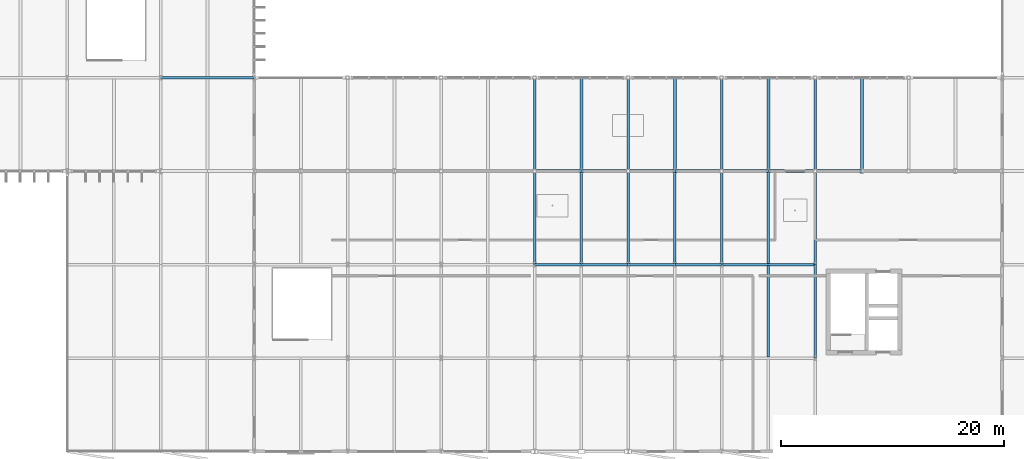
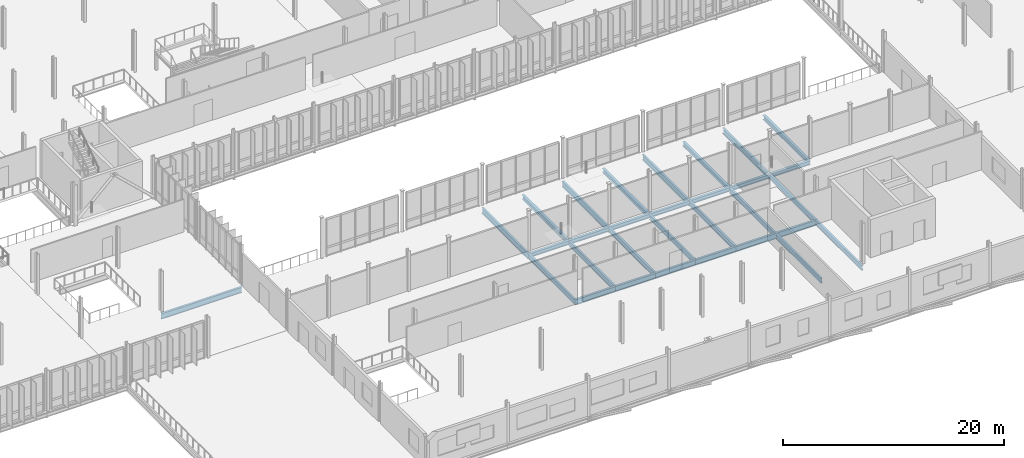
# One storey, part 34 of 139: 30 beams.
"""IFC4 building model written with IfcOpenShell, lengths in metres."""

from ifc_helpers import new_model, si_unit, derived_unit, direction, frame, origin, origin_2d, place, context, subcontext, project, spatial, i_section, extrude, material, material_profile, profile_set, type_object, element, save


model = new_model("IFC4")

# Units and contexts
model_context = context("Model", 3, precision=1e-05, world=origin(), true_north=direction((0.0, 1.0)))
body_context = subcontext(model_context, "Body", "Model", "MODEL_VIEW")
ifc_project = project(units=[si_unit("LENGTHUNIT", "METRE"), si_unit("AREAUNIT", "SQUARE_METRE"), si_unit("VOLUMEUNIT", "CUBIC_METRE"), si_unit("PLANEANGLEUNIT", "RADIAN"), si_unit("MASSUNIT", "GRAM", prefix="KILO"), derived_unit("THERMALTRANSMITTANCEUNIT", [(si_unit("MASSUNIT", "GRAM", prefix="KILO"), 1), (si_unit("TIMEUNIT", "SECOND"), -3), (si_unit("THERMODYNAMICTEMPERATUREUNIT", "KELVIN"), -1)])], contexts=[model_context])

# Site, building, storey
site_placement = place(None, origin())
site = spatial("IfcSite", under=ifc_project, at=site_placement, CompositionType="ELEMENT")
building_placement = place(site_placement, origin())
building = spatial("IfcBuilding", under=site, at=building_placement, Name="Makaiwela Harbour Ferry Terminal", CompositionType="ELEMENT")
storey_placement = place(building_placement, frame((0.0, 0.0, 5.10009765625)))
storey = spatial("IfcBuildingStorey", under=building, at=storey_placement, Name="L01", CompositionType="ELEMENT", Elevation=5.10009765625)

# Beams
ifc_material = material(Name="Steel ASTM A992 Grade 50", Category="steel")
ifc_material_profile_1 = material_profile(ifc_material, i_section(OverallWidth=0.280029296875, OverallDepth=0.462890625, WebThickness=0.0107421875, FlangeThickness=0.017333984375, at=origin_2d()), Name="W18X76")
ifc_profile_set_1 = profile_set([ifc_material_profile_1], Name="Steel ASTM A992 Grade 50")
beam_type_1 = type_object("IfcBeamType", Name="STR-BM-W18X76", PredefinedType="BEAM", material=ifc_profile_set_1)
for number, where, z_axis, x_axis, name in (
    (1, (100.800048828125, 25.314453125, -0.551513671875), (0.0, 1.0, 0.0), (-1.0, 0.0, 0.0), "Secondary floor beam 1113"),
    (2, (109.199951171875, 25.314453125, -0.551513671875), (0.0, 1.0, 0.0), (-1.0, 0.0, 0.0), "Secondary floor beam 1121"),
    (3, (117.60009765625, 25.314453125, -0.551513671875), (0.0, 1.0, 0.0), (-1.0, 0.0, 0.0), "Secondary floor beam 1129"),
    (4, (126.0, 25.314453125, -0.551513671875), (0.0, 1.0, 0.0), (-1.0, 0.0, 0.0), "Secondary floor beam 1136"),
):
    element("IfcBeam", number, at=place(storey_placement, frame(where, z_axis=z_axis, x_axis=x_axis)), inside=storey, type_object=beam_type_1, Name=name, PredefinedType="BEAM", context=body_context, shape_type="SweptSolid", body=[
        extrude(i_section(OverallWidth=0.280029296875, OverallDepth=0.462890625, WebThickness=0.0107421875, FlangeThickness=0.017333984375, at=origin_2d()), origin(), (0.0, 0.0, 1.0), 8.18896484375),
    ])
ifc_material_profile_2 = material_profile(ifc_material, i_section(OverallWidth=0.214111328125, OverallDepth=0.549072265625, WebThickness=0.0146484375, FlangeThickness=0.023681640625, at=origin_2d()), Name="W21X93")
ifc_profile_set_2 = profile_set([ifc_material_profile_2], Name="Steel ASTM A992 Grade 50")
beam_type_2 = type_object("IfcBeamType", Name="STR-BM-W21X93", PredefinedType="BEAM", material=ifc_profile_set_2)
for number, where, z_axis, x_axis, name in (
    (5, (96.60009765625, 16.800048828125, -0.57470703125), (0.0, 1.0, 0.0), (-1.0, 0.0, 0.0), "Primary Y girder 966"),
    (6, (105.0, 16.800048828125, -0.57470703125), (0.0, 1.0, 0.0), (-1.0, 0.0, 0.0), "Primary Y girder 974"),
    (7, (113.39990234375, 16.800048828125, -0.57470703125), (0.0, 1.0, 0.0), (-1.0, 0.0, 0.0), "Primary Y girder 982"),
):
    element("IfcBeam", number, at=place(storey_placement, frame(where, z_axis=z_axis, x_axis=x_axis)), inside=storey, type_object=beam_type_2, Name=name, PredefinedType="BEAM", context=body_context, shape_type="SweptSolid", body=[
        extrude(i_section(OverallWidth=0.214111328125, OverallDepth=0.549072265625, WebThickness=0.0146484375, FlangeThickness=0.023681640625, at=origin_2d()), origin(), (0.0, 0.0, 1.0), 8.39990234375),
    ])
beam_1_placement = place(storey_placement, frame((121.800048828125, 8.39990234375, -0.57470703125), z_axis=(0.0, 1.0, 0.0), x_axis=(-1.0, 0.0, 0.0)))
element("IfcBeam", 8, at=beam_1_placement, inside=storey, type_object=beam_type_2, Name="Primary Y girder 991", PredefinedType="BEAM", context=body_context, shape_type="SweptSolid", body=[
    extrude(i_section(OverallWidth=0.214111328125, OverallDepth=0.549072265625, WebThickness=0.0146484375, FlangeThickness=0.023681640625, at=origin_2d()), origin(), (0.0, 0.0, 1.0), 8.400146484375),
])
beam_2_placement = place(storey_placement, frame((121.800048828125, 16.800048828125, -0.57470703125), z_axis=(0.0, 1.0, 0.0), x_axis=(-1.0, 0.0, 0.0)))
element("IfcBeam", 9, at=beam_2_placement, inside=storey, type_object=beam_type_2, Name="Primary Y girder 992", PredefinedType="BEAM", context=body_context, shape_type="SweptSolid", body=[
    extrude(i_section(OverallWidth=0.214111328125, OverallDepth=0.549072265625, WebThickness=0.0146484375, FlangeThickness=0.023681640625, at=origin_2d()), origin(), (0.0, 0.0, 1.0), 8.39990234375),
])
for number, where, z_axis, x_axis, name in (
    (10, (100.800048828125, 16.896484375, -0.594482421875), (0.0, 1.0, 0.0), (-1.0, 0.0, 0.0), "Secondary floor beam 1112"),
    (11, (109.199951171875, 16.896484375, -0.594482421875), (0.0, 1.0, 0.0), (-1.0, 0.0, 0.0), "Secondary floor beam 1120"),
):
    element("IfcBeam", number, at=place(storey_placement, frame(where, z_axis=z_axis, x_axis=x_axis)), inside=storey, type_object=beam_type_2, Name=name, PredefinedType="BEAM", context=body_context, shape_type="SweptSolid", body=[
        extrude(i_section(OverallWidth=0.214111328125, OverallDepth=0.549072265625, WebThickness=0.0146484375, FlangeThickness=0.023681640625, at=origin_2d()), origin(), (0.0, 0.0, 1.0), 8.18896484375),
    ])
beam_3_placement = place(storey_placement, frame((117.60009765625, 8.49658203125, -0.57470703125), z_axis=(0.0, 1.0, 0.0), x_axis=(-1.0, 0.0, 0.0)))
element("IfcBeam", 12, at=beam_3_placement, inside=storey, type_object=beam_type_2, Name="Secondary floor beam 1127", PredefinedType="BEAM", context=body_context, shape_type="SweptSolid", body=[
    extrude(i_section(OverallWidth=0.214111328125, OverallDepth=0.549072265625, WebThickness=0.0146484375, FlangeThickness=0.023681640625, at=origin_2d()), origin(), (0.0, 0.0, 1.0), 8.20703125),
])
beam_4_placement = place(storey_placement, frame((117.60009765625, 16.896484375, -0.594482421875), z_axis=(0.0, 1.0, 0.0), x_axis=(-1.0, 0.0, 0.0)))
element("IfcBeam", 13, at=beam_4_placement, inside=storey, type_object=beam_type_2, Name="Secondary floor beam 1128", PredefinedType="BEAM", context=body_context, shape_type="SweptSolid", body=[
    extrude(i_section(OverallWidth=0.214111328125, OverallDepth=0.549072265625, WebThickness=0.0146484375, FlangeThickness=0.023681640625, at=origin_2d()), origin(), (0.0, 0.0, 1.0), 8.18896484375),
])
ifc_material_profile_3 = material_profile(ifc_material, i_section(OverallWidth=0.22900390625, OverallDepth=0.612060546875, WebThickness=0.011962890625, FlangeThickness=0.01953125, at=origin_2d()), Name="W24X84")
ifc_profile_set_3 = profile_set([ifc_material_profile_3], Name="Steel ASTM A992 Grade 50")
beam_type_3 = type_object("IfcBeamType", Name="STR-GRD-W24X84", PredefinedType="USERDEFINED", material=ifc_profile_set_3)
for number, where, z_axis, x_axis, name in (
    (14, (96.60009765625, 16.800048828125, -0.606201171875), (1.0, 0.0, 0.0), (0.0, 1.0, 0.0), "Primary X girder 745"),
    (15, (100.800048828125, 16.800048828125, -0.606201171875), (1.0, 0.0, 0.0), (0.0, 1.0, 0.0), "Primary X girder 746"),
    (16, (105.0, 16.800048828125, -0.606201171875), (1.0, 0.0, 0.0), (0.0, 1.0, 0.0), "Primary X girder 747"),
    (17, (109.199951171875, 16.800048828125, -0.606201171875), (1.0, 0.0, 0.0), (0.0, 1.0, 0.0), "Primary X girder 748"),
):
    element("IfcBeam", number, at=place(storey_placement, frame(where, z_axis=z_axis, x_axis=x_axis)), inside=storey, type_object=beam_type_3, Name=name, ObjectType="GIRDER", PredefinedType="USERDEFINED", context=body_context, shape_type="SweptSolid", body=[
        extrude(i_section(OverallWidth=0.22900390625, OverallDepth=0.612060546875, WebThickness=0.011962890625, FlangeThickness=0.01953125, at=origin_2d()), origin(), (0.0, 0.0, 1.0), 4.199951171875),
    ])
beam_5_placement = place(storey_placement, frame((113.39990234375, 16.800048828125, -0.606201171875), z_axis=(1.0, 0.0, 0.0), x_axis=(0.0, 1.0, 0.0)))
element("IfcBeam", 18, at=beam_5_placement, inside=storey, type_object=beam_type_3, Name="Primary X girder 749", ObjectType="GIRDER", PredefinedType="USERDEFINED", context=body_context, shape_type="SweptSolid", body=[
    extrude(i_section(OverallWidth=0.22900390625, OverallDepth=0.612060546875, WebThickness=0.011962890625, FlangeThickness=0.01953125, at=origin_2d()), origin(), (0.0, 0.0, 1.0), 8.400146484375),
])
beam_6_placement = place(storey_placement, frame((63.0, 33.60009765625, -0.586181640625), z_axis=(1.0, 0.0, 0.0), x_axis=(0.0, 1.0, 0.0)))
element("IfcBeam", 19, at=beam_6_placement, inside=storey, type_object=beam_type_3, Name="Primary X girder 783", ObjectType="GIRDER", PredefinedType="USERDEFINED", context=body_context, shape_type="SweptSolid", body=[
    extrude(i_section(OverallWidth=0.22900390625, OverallDepth=0.612060546875, WebThickness=0.011962890625, FlangeThickness=0.01953125, at=origin_2d()), origin(), (0.0, 0.0, 1.0), 8.39990234375),
])
for number, where, z_axis, x_axis, name in (
    (20, (96.60009765625, 25.199951171875, -0.6259765625), (0.0, 1.0, 0.0), (-1.0, 0.0, 0.0), "Primary Y girder 967"),
    (21, (105.0, 25.199951171875, -0.6259765625), (0.0, 1.0, 0.0), (-1.0, 0.0, 0.0), "Primary Y girder 975"),
    (22, (113.39990234375, 25.199951171875, -0.6259765625), (0.0, 1.0, 0.0), (-1.0, 0.0, 0.0), "Primary Y girder 983"),
    (23, (121.800048828125, 25.199951171875, -0.6259765625), (0.0, 1.0, 0.0), (-1.0, 0.0, 0.0), "Primary Y girder 993"),
):
    element("IfcBeam", number, at=place(storey_placement, frame(where, z_axis=z_axis, x_axis=x_axis)), inside=storey, type_object=beam_type_3, Name=name, ObjectType="GIRDER", PredefinedType="USERDEFINED", context=body_context, shape_type="SweptSolid", body=[
        extrude(i_section(OverallWidth=0.22900390625, OverallDepth=0.612060546875, WebThickness=0.011962890625, FlangeThickness=0.01953125, at=origin_2d()), origin(), (0.0, 0.0, 1.0), 8.400146484375),
    ])
ifc_material_profile_4 = material_profile(ifc_material, i_section(OverallWidth=0.264892578125, OverallDepth=0.430908203125, WebThickness=0.014892578125, FlangeThickness=0.02490234375, at=origin_2d()), Name="W16X100")
ifc_profile_set_4 = profile_set([ifc_material_profile_4], Name="Steel ASTM A992 Grade 50")
beam_type_4 = type_object("IfcBeamType", Name="STR-SPN-W16X100", PredefinedType="SPANDREL", material=ifc_profile_set_4)
for number, where, z_axis, x_axis, name in (
    (24, (96.60009765625, 25.199951171875, -0.53564453125), (1.0, 0.0, 0.0), (0.0, 1.0, 0.0), "Primary X girder 765"),
    (25, (100.800048828125, 25.199951171875, -0.53564453125), (1.0, 0.0, 0.0), (0.0, 1.0, 0.0), "Primary X girder 766"),
    (26, (105.0, 25.199951171875, -0.53564453125), (1.0, 0.0, 0.0), (0.0, 1.0, 0.0), "Primary X girder 767"),
    (27, (109.199951171875, 25.199951171875, -0.53564453125), (1.0, 0.0, 0.0), (0.0, 1.0, 0.0), "Primary X girder 768"),
):
    element("IfcBeam", number, at=place(storey_placement, frame(where, z_axis=z_axis, x_axis=x_axis)), inside=storey, type_object=beam_type_4, Name=name, PredefinedType="SPANDREL", context=body_context, shape_type="SweptSolid", body=[
        extrude(i_section(OverallWidth=0.264892578125, OverallDepth=0.430908203125, WebThickness=0.014892578125, FlangeThickness=0.02490234375, at=origin_2d()), origin(), (0.0, 0.0, 1.0), 4.199951171875),
    ])
beam_7_placement = place(storey_placement, frame((113.39990234375, 25.199951171875, -0.53564453125), z_axis=(1.0, 0.0, 0.0), x_axis=(0.0, 1.0, 0.0)))
element("IfcBeam", 28, at=beam_7_placement, inside=storey, type_object=beam_type_4, Name="Primary X girder 769", PredefinedType="SPANDREL", context=body_context, shape_type="SweptSolid", body=[
    extrude(i_section(OverallWidth=0.264892578125, OverallDepth=0.430908203125, WebThickness=0.014892578125, FlangeThickness=0.02490234375, at=origin_2d()), origin(), (0.0, 0.0, 1.0), 4.2001953125),
])
for number, where, z_axis, x_axis, name in (
    (29, (117.60009765625, 25.199951171875, -0.53564453125), (1.0, 0.0, 0.0), (0.0, 1.0, 0.0), "Primary X girder 770"),
    (30, (121.800048828125, 25.199951171875, -0.53564453125), (1.0, 0.0, 0.0), (0.0, 1.0, 0.0), "Primary X girder 771"),
):
    element("IfcBeam", number, at=place(storey_placement, frame(where, z_axis=z_axis, x_axis=x_axis)), inside=storey, type_object=beam_type_4, Name=name, PredefinedType="SPANDREL", context=body_context, shape_type="SweptSolid", body=[
        extrude(i_section(OverallWidth=0.264892578125, OverallDepth=0.430908203125, WebThickness=0.014892578125, FlangeThickness=0.02490234375, at=origin_2d()), origin(), (0.0, 0.0, 1.0), 4.199951171875),
    ])

save(model, "model.ifc")
